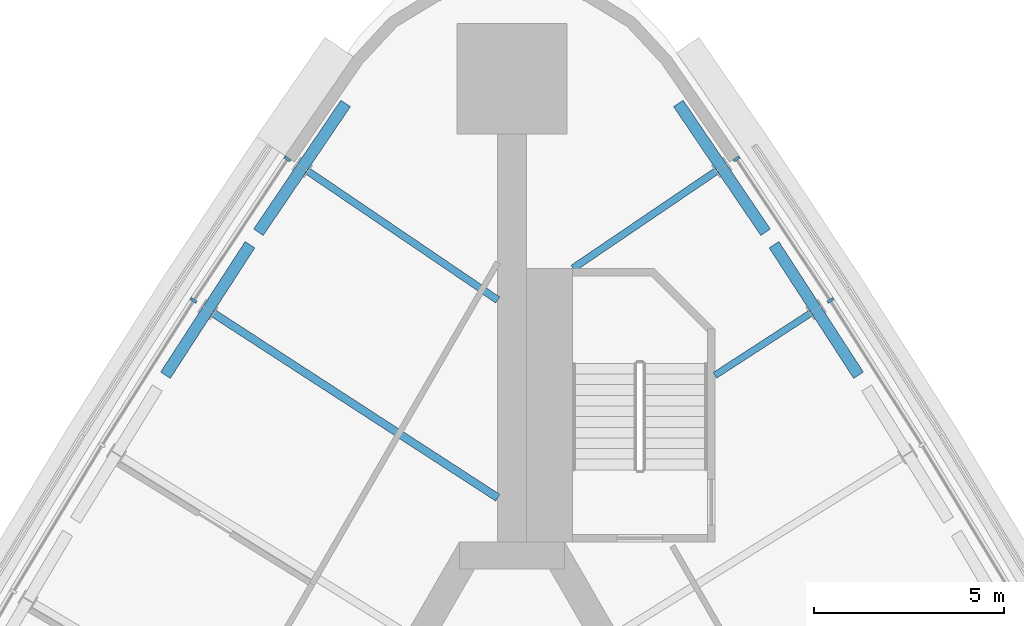
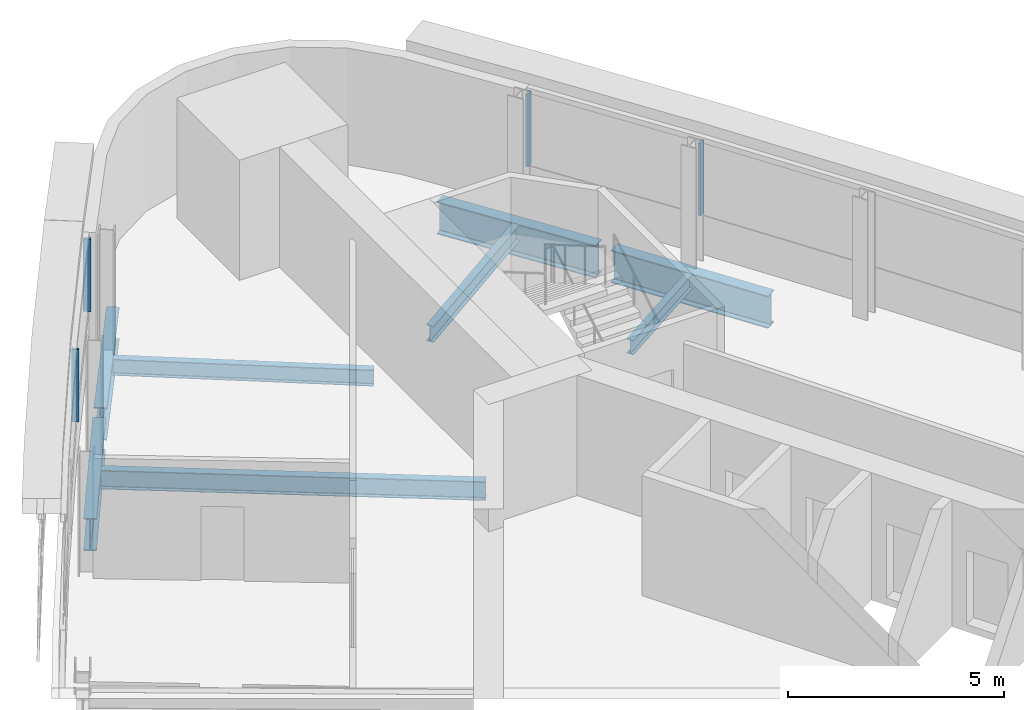
# One storey, part 6 of 12: 8 beams, 4 members, 2 elements without a shape of their own.
"""IFC4 building model written with IfcOpenShell, lengths in metres."""

from ifc_helpers import new_model, si_unit, direction, frame, origin, origin_2d, place, context, subcontext, project, spatial, rectangle, i_section, extrude, material, material_profile, profile_set, type_object, element, aggregate, save


model = new_model("IFC4")

# Units and contexts
model_context = context("Model", 3, precision=1e-05, world=origin(), true_north=direction((0.0, 1.0)))
body_context = subcontext(model_context, "Body", "Model", "MODEL_VIEW")
ifc_project = project(units=[si_unit("LENGTHUNIT", "METRE"), si_unit("AREAUNIT", "SQUARE_METRE"), si_unit("VOLUMEUNIT", "CUBIC_METRE"), si_unit("PLANEANGLEUNIT", "RADIAN"), si_unit("MASSUNIT", "GRAM", prefix="KILO")], contexts=[model_context])

# Site, building, storey
site_placement = place(None, origin())
site = spatial("IfcSite", under=ifc_project, at=site_placement, CompositionType="ELEMENT")
building_placement = place(site_placement, origin())
building = spatial("IfcBuilding", under=site, at=building_placement, Name="Noor Cloister Tower", CompositionType="ELEMENT")
storey_placement = place(building_placement, frame((0.0, 0.0, 150.89990234375)))
storey = spatial("IfcBuildingStorey", under=building, at=storey_placement, Name="L38", CompositionType="ELEMENT", Elevation=150.89990234375)

# Curtain wall, members
ifc_material_1 = material(Name="Aluminium 6063-T6 anodised", Category="aluminium")
curtain_wall_type = type_object("IfcCurtainWallType", Name="Ribbon curtain wall, upper tower CW5", PredefinedType="NOTDEFINED", material=ifc_material_1)
curtain_wall_1_placement = place(storey_placement, origin())
curtain_wall_1 = element("IfcCurtainWall", 1, at=curtain_wall_1_placement, inside=storey, type_object=curtain_wall_type, Name="CW5 L38 NW run 1", PredefinedType="NOTDEFINED")
ifc_material_2 = material(Name="Aluminium 6063-T6 anodised", Category="aluminium")
ifc_material_profile_1 = material_profile(ifc_material_2, rectangle(XDim=0.179931640625, YDim=0.070068359375, at=origin_2d()), Name="180 x 70 mullion")
ifc_profile_set_1 = profile_set([ifc_material_profile_1], Name="Aluminium 6063-T6 anodised")
member_type = type_object("IfcMemberType", Name="Mullion CW5 70 x 180", PredefinedType="MULLION", material=ifc_profile_set_1)
member_1_placement = place(storey_placement, frame((-5.903564453125, 21.531494140625, 1.10009765625), z_axis=(0.0, 0.0, 1.0), x_axis=(0.833278393086, -0.552853614998, 0.0)))
member_1 = element("IfcMember", 2, at=member_1_placement, type_object=member_type, Name="CW5 mullion 1", PredefinedType="MULLION", context=body_context, shape_type="SweptSolid", body=[
    extrude(rectangle(XDim=0.179931640625, YDim=0.070068359375, at=origin_2d()), origin(), (0.0, 0.0, 1.0), 2.050048828125),
])
member_2_placement = place(storey_placement, frame((-8.37158203125, 17.811767578125, 1.10009765625), z_axis=(0.0, 0.0, 1.0), x_axis=(0.838963508619, -0.544187680131, 0.0)))
member_2 = element("IfcMember", 3, at=member_2_placement, type_object=member_type, Name="CW5 mullion 2", PredefinedType="MULLION", context=body_context, shape_type="SweptSolid", body=[
    extrude(rectangle(XDim=0.179931640625, YDim=0.070068359375, at=origin_2d()), origin(), (0.0, 0.0, 1.0), 2.050048828125),
])
aggregate(curtain_wall_1, [member_1, member_2])

curtain_wall_2_placement = place(storey_placement, origin())
curtain_wall_2 = element("IfcCurtainWall", 4, at=curtain_wall_2_placement, inside=storey, type_object=curtain_wall_type, Name="CW5 L38 NE run 3", PredefinedType="NOTDEFINED")
member_3_placement = place(storey_placement, frame((8.37158203125, 17.811767578125, 1.10009765625), z_axis=(0.0, 0.0, 1.0), x_axis=(-0.838963508619, -0.544187680131, 0.0)))
member_3 = element("IfcMember", 5, at=member_3_placement, type_object=member_type, Name="CW5 mullion 7", PredefinedType="MULLION", context=body_context, shape_type="SweptSolid", body=[
    extrude(rectangle(XDim=0.179931640625, YDim=0.070068359375, at=origin_2d()), origin(), (0.0, 0.0, 1.0), 2.050048828125),
])
member_4_placement = place(storey_placement, frame((5.903564453125, 21.531494140625, 1.10009765625), z_axis=(0.0, 0.0, 1.0), x_axis=(-0.833278393086, -0.552853614998, 0.0)))
member_4 = element("IfcMember", 6, at=member_4_placement, type_object=member_type, Name="CW5 mullion 8", PredefinedType="MULLION", context=body_context, shape_type="SweptSolid", body=[
    extrude(rectangle(XDim=0.179931640625, YDim=0.070068359375, at=origin_2d()), origin(), (0.0, 0.0, 1.0), 2.050048828125),
])
aggregate(curtain_wall_2, [member_3, member_4])

# Beams
ifc_material_3 = material(Name="Steel ASTM A992 Gr 50", Category="steel")
ifc_material_profile_2 = material_profile(ifc_material_3, i_section(OverallWidth=0.177978515625, OverallDepth=0.406005859375, WebThickness=0.0078125, FlangeThickness=0.0126953125, FilletRadius=0.01025390625, at=origin_2d()), Name="W410x60")
ifc_profile_set_2 = profile_set([ifc_material_profile_2], Name="Steel ASTM A992 Gr 50")
beam_type_1 = type_object("IfcBeamType", Name="Radial beam W410x60", PredefinedType="BEAM", material=ifc_profile_set_2)
beam_1_placement = place(storey_placement, frame((7.865966796875, 17.48388671875, -0.40283203125), z_axis=(-0.838983261917, -0.544157225647, 0.0), x_axis=(0.544157225647, -0.838983261917, 0.0)))
element("IfcBeam", 7, at=beam_1_placement, inside=storey, type_object=beam_type_1, Name="Radial beam NE 07 L38", PredefinedType="BEAM", context=body_context, shape_type="SweptSolid", body=[
    extrude(i_section(OverallWidth=0.177978515625, OverallDepth=0.406005859375, WebThickness=0.0078125, FlangeThickness=0.0126953125, FilletRadius=0.01025390625, at=origin_2d()), origin(), (0.0, 0.0, 1.0), 3.015869140625),
])
ifc_material_4 = material(Name="Steel ASTM A992 Gr 50", Category="steel")
ifc_material_profile_3 = material_profile(ifc_material_4, i_section(OverallWidth=0.19091796875, OverallDepth=0.45703125, WebThickness=0.009033203125, FlangeThickness=0.014404296875, FilletRadius=0.01025390625, at=origin_2d()), Name="W460x74")
ifc_profile_set_3 = profile_set([ifc_material_profile_3], Name="Steel ASTM A992 Gr 50")
beam_type_2 = type_object("IfcBeamType", Name="Radial beam W460x74", PredefinedType="BEAM", material=ifc_profile_set_3)
beam_2_placement = place(storey_placement, frame((-5.38623046875, 21.221435546875, -0.428466796875), z_axis=(0.827501194742, -0.561463954943, 0.0), x_axis=(0.561463954943, 0.827501194742, 0.0)))
element("IfcBeam", 8, at=beam_2_placement, inside=storey, type_object=beam_type_2, Name="Radial beam NW 01 L38", PredefinedType="BEAM", context=body_context, shape_type="SweptSolid", body=[
    extrude(i_section(OverallWidth=0.19091796875, OverallDepth=0.45703125, WebThickness=0.009033203125, FlangeThickness=0.014404296875, FilletRadius=0.01025390625, at=origin_2d()), origin(), (0.0, 0.0, 1.0), 6.055908203125),
])
beam_3_placement = place(storey_placement, frame((5.38623046875, 21.221435546875, -0.428466796875), z_axis=(-0.827517450597, -0.561439995865, 0.0), x_axis=(0.561439995865, -0.827517450597, 0.0)))
element("IfcBeam", 9, at=beam_3_placement, inside=storey, type_object=beam_type_2, Name="Radial beam NE 08 L38", PredefinedType="BEAM", context=body_context, shape_type="SweptSolid", body=[
    extrude(i_section(OverallWidth=0.19091796875, OverallDepth=0.45703125, WebThickness=0.009033203125, FlangeThickness=0.014404296875, FilletRadius=0.01025390625, at=origin_2d()), origin(), (0.0, 0.0, 1.0), 4.568603515625),
])
ifc_material_5 = material(Name="Steel ASTM A992 Gr 50", Category="steel")
ifc_material_profile_4 = material_profile(ifc_material_5, i_section(OverallWidth=0.208984375, OverallDepth=0.532958984375, WebThickness=0.01025390625, FlangeThickness=0.015625, FilletRadius=0.0126953125, at=origin_2d()), Name="W530x92")
ifc_profile_set_4 = profile_set([ifc_material_profile_4], Name="Steel ASTM A992 Gr 50")
beam_type_3 = type_object("IfcBeamType", Name="Radial beam W530x92", PredefinedType="BEAM", material=ifc_profile_set_4)
beam_4_placement = place(storey_placement, frame((-7.865966796875, 17.48388671875, -0.46630859375), z_axis=(0.838967360089, -0.544181742349, 0.0), x_axis=(0.544181742349, 0.838967360089, 0.0)))
element("IfcBeam", 10, at=beam_4_placement, inside=storey, type_object=beam_type_3, Name="Radial beam NW 02 L38", PredefinedType="BEAM", context=body_context, shape_type="SweptSolid", body=[
    extrude(i_section(OverallWidth=0.208984375, OverallDepth=0.532958984375, WebThickness=0.01025390625, FlangeThickness=0.015625, FilletRadius=0.0126953125, at=origin_2d()), origin(), (0.0, 0.0, 1.0), 8.9287109375),
])
ifc_material_6 = material(Name="Steel ASTM A992 Gr 50", Category="steel")
ifc_material_profile_5 = material_profile(ifc_material_6, i_section(OverallWidth=0.304931640625, OverallDepth=0.9189453125, WebThickness=0.017333984375, FlangeThickness=0.02783203125, FilletRadius=0.01904296875, at=origin_2d()), Name="W920x253")
ifc_profile_set_5 = profile_set([ifc_material_profile_5], Name="Steel ASTM A992 Gr 50")
beam_type_4 = type_object("IfcBeamType", Name="Transfer girder W920x253", PredefinedType="BEAM", material=ifc_profile_set_5)
for number, where, z_axis, x_axis, name in (
    (11, (-4.37255859375, 22.989990234375, -0.659423828125), (-0.560801944434, -0.82794998588, 0.0), (0.82794998588, -0.560801944434, 0.0), "Transfer girder NW 01 L38"),
    (12, (-6.886962890625, 19.27587890625, -0.659423828125), (-0.54371406046, -0.839270528767, 0.0), (0.839270528767, -0.54371406046, 0.0), "Transfer girder NW 02 L38"),
    (13, (9.110595703125, 15.843505859375, -0.659423828125), (-0.54371406046, 0.839270528767, 0.0), (-0.839270528767, -0.54371406046, 0.0), "Transfer girder NE 07 L38"),
    (14, (6.666015625, 19.60400390625, -0.659423828125), (-0.560801944434, 0.82794998588, 0.0), (-0.82794998588, -0.560801944434, 0.0), "Transfer girder NE 08 L38"),
):
    element("IfcBeam", number, at=place(storey_placement, frame(where, z_axis=z_axis, x_axis=x_axis)), inside=storey, type_object=beam_type_4, Name=name, PredefinedType="BEAM", context=body_context, shape_type="SweptSolid", body=[
        extrude(i_section(OverallWidth=0.304931640625, OverallDepth=0.9189453125, WebThickness=0.017333984375, FlangeThickness=0.02783203125, FilletRadius=0.01904296875, at=origin_2d()), origin(), (0.0, 0.0, 1.0), 4.089599609375),
    ])

save(model, "model.ifc")
